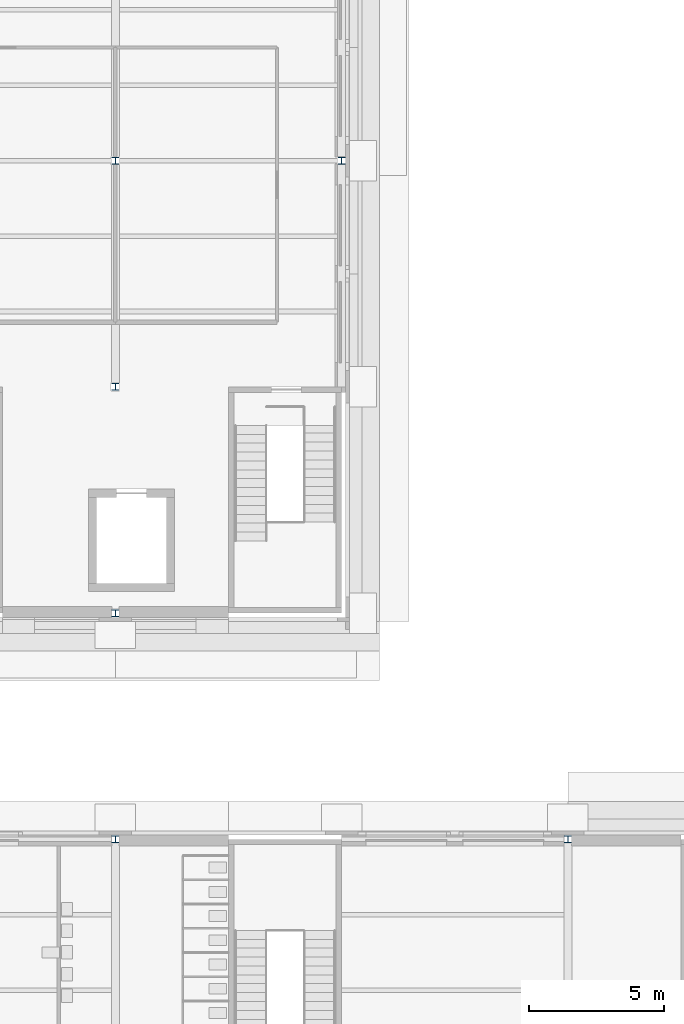
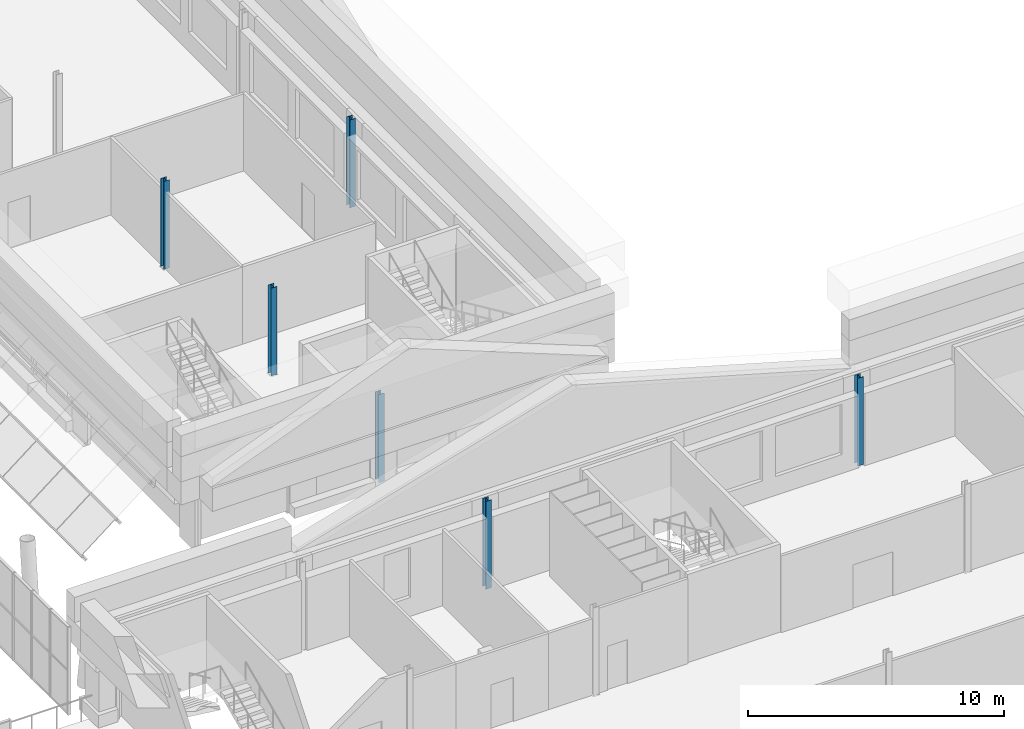
# One storey, part 8 of 76: 6 columns.
"""IFC4 building model written with IfcOpenShell, lengths in metres."""

from ifc_helpers import new_model, si_unit, direction, frame, origin, origin_2d, place, context, subcontext, project, spatial, i_section, extrude, material, material_profile, profile_set, type_object, element, save


model = new_model("IFC4")

# Units and contexts
model_context = context("Model", 3, precision=1e-05, world=origin(), true_north=direction((0.0, 1.0)))
body_context = subcontext(model_context, "Body", "Model", "MODEL_VIEW")
ifc_project = project(units=[si_unit("LENGTHUNIT", "METRE"), si_unit("AREAUNIT", "SQUARE_METRE"), si_unit("VOLUMEUNIT", "CUBIC_METRE"), si_unit("PLANEANGLEUNIT", "RADIAN"), si_unit("MASSUNIT", "GRAM", prefix="KILO")], contexts=[model_context])

# Site, building, storey
site_placement = place(None, origin())
site = spatial("IfcSite", under=ifc_project, at=site_placement, CompositionType="ELEMENT")
building_placement = place(site_placement, origin())
building = spatial("IfcBuilding", under=site, at=building_placement, Name="Sava Quay Ferry Terminal", CompositionType="ELEMENT")
storey_placement = place(building_placement, frame((0.0, 0.0, 10.800048828125)))
storey = spatial("IfcBuildingStorey", under=building, at=storey_placement, Name="L02", CompositionType="ELEMENT", Elevation=10.800048828125)

# Columns
ifc_material = material(Name="Steel S355", Category="steel")
ifc_material_profile = material_profile(ifc_material, i_section(OverallWidth=0.260009765625, OverallDepth=0.260009765625, WebThickness=0.010009765625, FlangeThickness=0.017578125, at=origin_2d()), Name="HE 260 B")
ifc_profile_set = profile_set([ifc_material_profile], Name="Steel S355")
column_type = type_object("IfcColumnType", Name="Column HE 260 B", PredefinedType="COLUMN", material=ifc_profile_set)
for number, where, z_axis, x_axis, name in (
    (1, (100.800048828125, 50.39990234375, 0.0), (0.0, 0.0, 1.0), (1.0, 0.0, 0.0), "Column L02 100.8/50.4"),
    (2, (100.800048828125, 58.800048828125, 0.0), (0.0, 0.0, 1.0), (1.0, 0.0, 0.0), "Column L02 100.8/58.8"),
    (3, (100.800048828125, 67.199951171875, 0.0), (0.0, 0.0, 1.0), (1.0, 0.0, 0.0), "Column L02 100.8/67.2"),
    (4, (100.800048828125, 75.60009765625, 0.0), (0.0, 0.0, 1.0), (1.0, 0.0, 0.0), "Column L02 100.8/75.6"),
    (5, (109.199951171875, 75.60009765625, 0.0), (0.0, 0.0, 1.0), (1.0, 0.0, 0.0), "Column L02 109.2/75.6"),
    (6, (117.60009765625, 50.39990234375, 0.0), (0.0, 0.0, 1.0), (1.0, 0.0, 0.0), "Column L02 117.6/50.4"),
):
    element("IfcColumn", number, at=place(storey_placement, frame(where, z_axis=z_axis, x_axis=x_axis)), inside=storey, type_object=column_type, Name=name, PredefinedType="COLUMN", context=body_context, shape_type="SweptSolid", body=[
        extrude(i_section(OverallWidth=0.260009765625, OverallDepth=0.260009765625, WebThickness=0.010009765625, FlangeThickness=0.017578125, at=origin_2d()), origin(), (0.0, 0.0, 1.0), 4.199951171875),
    ])

save(model, "model.ifc")
